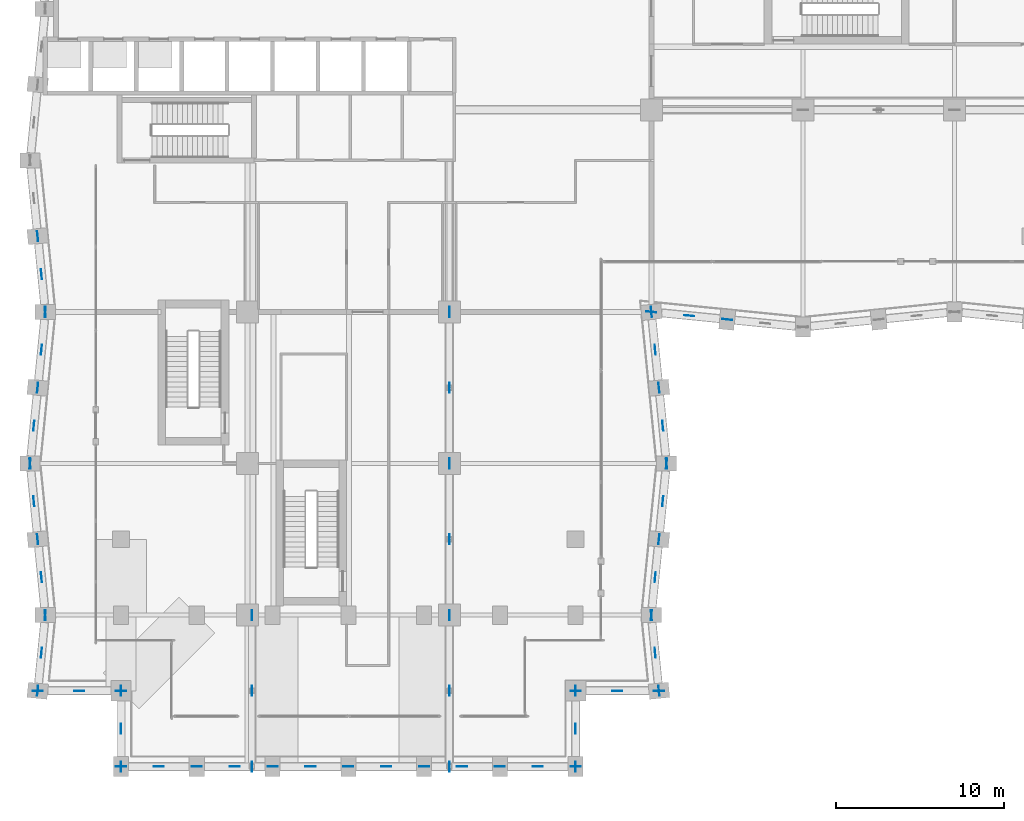
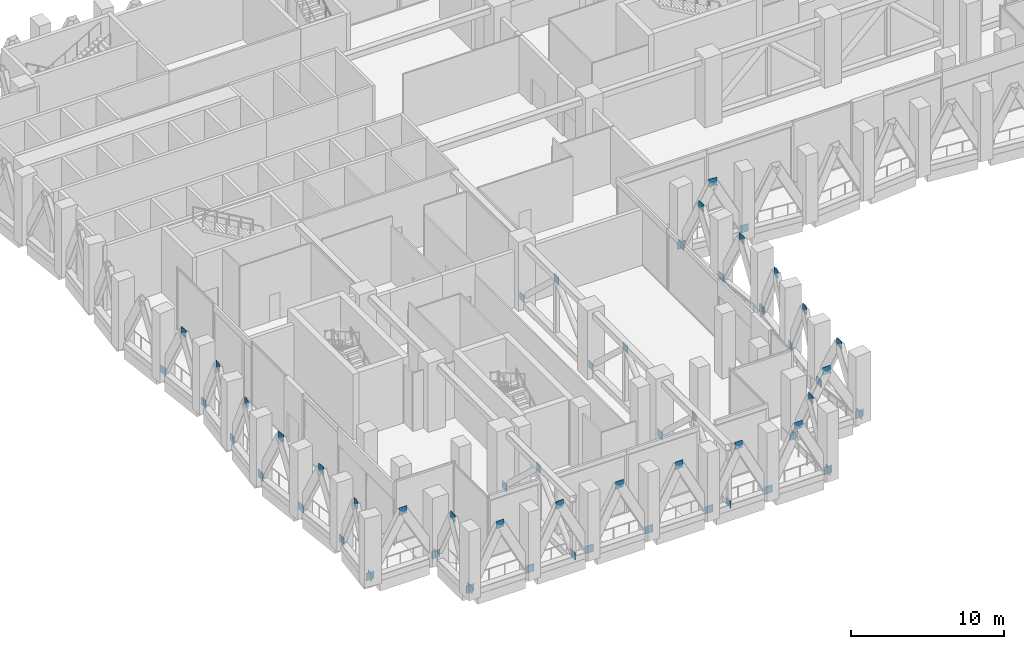
# One storey, part 27 of 37: 67 discrete accessories.
"""IFC4 building model written with IfcOpenShell, lengths in metres."""

import ifcopenshell
import ifcopenshell.guid

model = None  # the IFC model being written
_history = None  # IfcOwnerHistory: only IFC2X3 demands one
_inside = {}  # id of a spatial element -> (the spatial element, [elements in it])
_under = {}  # id of a project, library or spatial element -> (it, [spatial elements below it])
_declared = {}  # id of a project -> (the project, [libraries it declares])
_typed = {}  # id of a type object -> (the type object, [elements of that type])
_made_of = {}  # id of a material, layer set ... -> (it, [elements and type objects made of it])


def new_model(schema):
    """Start an empty IFC model of exactly this schema.

    Asked for "IFC4X3", IfcOpenShell would pick the latest addendum, in which some entities
    have other attributes; the version numbers below select the first issue.
    IFC2X3 requires an IfcOwnerHistory on every rooted entity: one is made here for all.
    """
    global model, _history
    if schema == "IFC4X3":
        model = ifcopenshell.file(schema_version=(4, 3, 0, 0))
    else:
        model = ifcopenshell.file(schema=schema)
    _inside.clear()
    _under.clear()
    _declared.clear()
    _typed.clear()
    _made_of.clear()
    _history = None
    if model.schema == "IFC2X3":
        org = make("IfcOrganization", Name="unknown")
        user = make(
            "IfcPersonAndOrganization",
            ThePerson=make("IfcPerson", FamilyName="unknown"),
            TheOrganization=org,
        )
        app = make(
            "IfcApplication",
            ApplicationDeveloper=org,
            Version="unknown",
            ApplicationFullName="unknown",
            ApplicationIdentifier="unknown",
        )
        _history = make(
            "IfcOwnerHistory",
            OwningUser=user,
            OwningApplication=app,
            ChangeAction="ADDED",
            CreationDate=0,
        )
    return model


def make(cls, **values):
    """One entity of the class cls with the attributes given. An attribute that is None is left unset."""
    return model.create_entity(
        cls, **{name: value for name, value in values.items() if value is not None}
    )


def rooted(cls, **values):
    """An entity with a GlobalId (a new one), such as an element, a storey or a relation."""
    return make(cls, GlobalId=ifcopenshell.guid.new(), OwnerHistory=_history, **values)


def si_unit(unit_type, name, prefix=None):
    """IfcSIUnit, for example si_unit("LENGTHUNIT", "METRE", prefix="MILLI")."""
    return make("IfcSIUnit", UnitType=unit_type, Prefix=prefix, Name=name)


def assignment(units):
    """IfcUnitAssignment: the units of a project."""
    return None if units is None else make("IfcUnitAssignment", Units=units)


def point(xyz):
    """IfcCartesianPoint."""
    return None if xyz is None else make("IfcCartesianPoint", Coordinates=xyz)


def direction(xyz):
    """IfcDirection."""
    return None if xyz is None else make("IfcDirection", DirectionRatios=xyz)


def frame(location, z_axis=None, x_axis=None):
    """IfcAxis2Placement3D, a coordinate frame: its origin and axes. An axis left out is left unset."""
    return make(
        "IfcAxis2Placement3D",
        Location=point(location),
        Axis=direction(z_axis),
        RefDirection=direction(x_axis),
    )


def frame_2d(location, x_axis=None):
    """IfcAxis2Placement2D, a coordinate frame in the plane: its origin and x axis."""
    return make(
        "IfcAxis2Placement2D", Location=point(location), RefDirection=direction(x_axis)
    )


def origin():
    """The frame at (0, 0, 0) with its axes left unset."""
    return frame((0.0, 0.0, 0.0))


def origin_2d():
    """The frame at (0, 0) in the plane with its x axis left unset."""
    return frame_2d((0.0, 0.0))


def place(relative_to, where):
    """IfcLocalPlacement: puts the frame where relative to a parent placement (None: the world)."""
    return make(
        "IfcLocalPlacement", PlacementRelTo=relative_to, RelativePlacement=where
    )


def context(
    kind, dimensions, precision=None, world=None, true_north=None, identifier=None
):
    """IfcGeometricRepresentationContext, for example the 3D "Model" context."""
    return make(
        "IfcGeometricRepresentationContext",
        ContextIdentifier=identifier,
        ContextType=kind,
        CoordinateSpaceDimension=dimensions,
        Precision=precision,
        WorldCoordinateSystem=world,
        TrueNorth=true_north,
    )


def subcontext(parent, identifier, kind, view, scale=None):
    """IfcGeometricRepresentationSubContext, for example "Body" below "Model"."""
    return make(
        "IfcGeometricRepresentationSubContext",
        ContextIdentifier=identifier,
        ContextType=kind,
        ParentContext=parent,
        TargetScale=scale,
        TargetView=view,
    )


def project(units=None, contexts=None):
    """IfcProject with its units and contexts."""
    return rooted(
        "IfcProject",
        Name="project",
        RepresentationContexts=contexts,
        UnitsInContext=assignment(units),
    )


def spatial(cls, under=None, at=None, **own):
    """A site, building, storey or space (cls), placed at a placement, below another one or the project."""
    s = rooted(cls, ObjectPlacement=at, **own)
    if under is not None:
        _under.setdefault(under.id(), (under, []))[1].append(s)
    return s


def profile(cls, at=None, kind="AREA", **sizes):
    """A parametric profile (cls). Its sizes go by their IFC names, for example OverallWidth=200.0."""
    return make(cls, ProfileType=kind, Position=at, **sizes)


def rectangle(**sizes):
    """IfcRectangleProfileDef."""
    return profile("IfcRectangleProfileDef", **sizes)


def extrude(swept, where, along, depth):
    """IfcExtrudedAreaSolid: the profile swept, set in the frame where, extruded along a direction by depth."""
    return make(
        "IfcExtrudedAreaSolid",
        SweptArea=swept,
        Position=where,
        ExtrudedDirection=direction(along),
        Depth=depth,
    )


def shape(context_of_items, identifier, shape_type, items):
    """IfcShapeRepresentation: the items that make up one representation, for example the "Body"."""
    return make(
        "IfcShapeRepresentation",
        ContextOfItems=context_of_items,
        RepresentationIdentifier=identifier,
        RepresentationType=shape_type,
        Items=items,
    )


def material(Name=None, Category=None):
    """IfcMaterial."""
    return make("IfcMaterial", Name=Name, Category=Category)


def layer(
    of_material, thickness, ventilated=None, Name=None, Category=None, Priority=None
):
    """IfcMaterialLayer: one layer of a wall or slab, of a material (None: an air gap)."""
    return make(
        "IfcMaterialLayer",
        Material=of_material,
        LayerThickness=thickness,
        IsVentilated=ventilated,
        Name=Name,
        Category=Category,
        Priority=Priority,
    )


def layer_set(layers, Name=None):
    """IfcMaterialLayerSet."""
    return make("IfcMaterialLayerSet", MaterialLayers=layers, LayerSetName=Name)


def made_of(thing, what):
    """Note that an element or type object is made of a material, layer set ...; save() writes the relation."""
    if what is not None:
        _made_of.setdefault(what.id(), (what, []))[1].append(thing)
    return thing


def type_object(cls, material=None, **own):
    """A type object (cls), such as IfcWallType, which elements share."""
    return made_of(rooted(cls, **own), material)


def element(
    cls,
    number,
    at=None,
    inside=None,
    cuts=None,
    type_object=None,
    material=None,
    context=None,
    identifier="Body",
    shape_type=None,
    held_by="IfcProductDefinitionShape",
    body=None,
    shapes=None,
    **own,
):
    """One element of the class cls, such as IfcWall. Its Tag is "e" and its number.

    at: its placement. inside: the storey or other place that contains it. cuts: it is an
    opening in that element (IfcRelVoidsElement). A single representation is given by context,
    identifier, shape_type and body (its items); several are given by shapes. held_by: the class
    of the entity that holds the representations. save() writes the other relations.
    """
    e = rooted(cls, Tag="e%d" % number, ObjectPlacement=at, **own)
    if body is not None:
        shapes = [shape(context, identifier, shape_type, body)]
    if shapes is not None:
        e.Representation = make(held_by, Representations=shapes)
    if inside is not None:
        _inside.setdefault(inside.id(), (inside, []))[1].append(e)
    if cuts is not None:
        rooted(
            "IfcRelVoidsElement", RelatingBuildingElement=cuts, RelatedOpeningElement=e
        )
    if type_object is not None:
        _typed.setdefault(type_object.id(), (type_object, []))[1].append(e)
    return made_of(e, material)


def aggregate(whole, parts):
    """IfcRelAggregates: a whole, such as a stair, and the parts it consists of."""
    return rooted("IfcRelAggregates", RelatingObject=whole, RelatedObjects=parts)


def save(model, path):
    """Write the relations noted so far, then the file.

    IfcRelAggregates (storeys below a building ...), IfcRelContainedInSpatialStructure (elements
    in a storey), IfcRelDefinesByType, IfcRelAssociatesMaterial and IfcRelDeclares: one each for
    every whole, place, type object, material and project.
    """
    for whole, parts in _under.values():
        aggregate(whole, parts)
    for where, things in _inside.values():
        rooted(
            "IfcRelContainedInSpatialStructure",
            RelatedElements=things,
            RelatingStructure=where,
        )
    for kind, things in _typed.values():
        rooted("IfcRelDefinesByType", RelatedObjects=things, RelatingType=kind)
    for what, things in _made_of.values():
        rooted("IfcRelAssociatesMaterial", RelatedObjects=things, RelatingMaterial=what)
    for by, libraries in _declared.values():
        rooted("IfcRelDeclares", RelatingContext=by, RelatedDefinitions=libraries)
    model.write(path)


model = new_model("IFC4")

# Units and contexts
model_context = context("Model", 3, precision=1e-05, world=origin(), true_north=direction((0.0, 1.0)))
body_context = subcontext(model_context, "Body", "Model", "MODEL_VIEW")
ifc_project = project(units=[si_unit("LENGTHUNIT", "METRE"), si_unit("AREAUNIT", "SQUARE_METRE"), si_unit("VOLUMEUNIT", "CUBIC_METRE"), si_unit("PLANEANGLEUNIT", "RADIAN"), si_unit("MASSUNIT", "GRAM", prefix="KILO")], contexts=[model_context])

# Site, building, storey
site_placement = place(None, origin())
site = spatial("IfcSite", under=ifc_project, at=site_placement, CompositionType="ELEMENT")
building_placement = place(site_placement, origin())
building = spatial("IfcBuilding", under=site, at=building_placement, Name="Brondeck Convention Tower", CompositionType="ELEMENT")
storey_placement = place(building_placement, frame((0.0, 0.0, 137.89990234375)))
storey = spatial("IfcBuildingStorey", under=building, at=storey_placement, Name="L33", CompositionType="ELEMENT", Elevation=137.89990234375)

# Discrete accessories
ifc_material = material(Name="Steel S460", Category="steel")
ifc_layer = layer(ifc_material, 0.02490234375)
ifc_layer_set = layer_set([ifc_layer], Name="Gusset plate 600x600x25 Steel S460")
discrete_accessory_type = type_object("IfcDiscreteAccessoryType", Name="Gusset plate 600x600x25 Steel S460", PredefinedType="BRACKET", material=ifc_layer_set)
for number, where, z_axis, x_axis, name in (
    (1, (4.5, 0.0, 0.199951171875), (0.0, 0.0, 1.0), (1.0, 0.0, 0.0), "Gusset plate GP-338"),
    (2, (6.75, 0.0, 4.550048828125), (0.0, 0.0, 1.0), (1.0, 0.0, 0.0), "Gusset plate GP-339"),
    (3, (9.0, 0.0, 0.199951171875), (0.0, 0.0, 1.0), (1.0, 0.0, 0.0), "Gusset plate GP-340"),
    (4, (11.25, 0.0, 4.550048828125), (0.0, 0.0, 1.0), (1.0, 0.0, 0.0), "Gusset plate GP-341"),
    (5, (13.5, 0.0, 0.199951171875), (0.0, 0.0, 1.0), (1.0, 0.0, 0.0), "Gusset plate GP-342"),
    (6, (15.75, 0.0, 4.550048828125), (0.0, 0.0, 1.0), (1.0, 0.0, 0.0), "Gusset plate GP-343"),
    (7, (18.0, 0.0, 0.199951171875), (0.0, 0.0, 1.0), (1.0, 0.0, 0.0), "Gusset plate GP-344"),
    (8, (20.25, 0.0, 4.550048828125), (0.0, 0.0, 1.0), (1.0, 0.0, 0.0), "Gusset plate GP-345"),
    (9, (22.5, 0.0, 0.199951171875), (0.0, 0.0, 1.0), (1.0, 0.0, 0.0), "Gusset plate GP-346"),
    (10, (24.75, 0.0, 4.550048828125), (0.0, 0.0, 1.0), (1.0, 0.0, 0.0), "Gusset plate GP-347"),
    (11, (27.0, 0.0, 0.199951171875), (0.0, 0.0, 1.0), (1.0, 0.0, 0.0), "Gusset plate GP-348"),
    (12, (29.25, 0.0, 4.550048828125), (0.0, 0.0, 1.0), (1.0, 0.0, 0.0), "Gusset plate GP-349"),
    (13, (31.5, 0.0, 0.199951171875), (0.0, 0.0, 1.0), (1.0, 0.0, 0.0), "Gusset plate GP-350"),
    (14, (31.5, 0.0, 0.199951171875), (0.0, 0.0, 1.0), (0.0, 1.0, 0.0), "Gusset plate GP-351"),
    (15, (31.5, 2.25, 4.550048828125), (0.0, 0.0, 1.0), (0.0, 1.0, 0.0), "Gusset plate GP-352"),
    (16, (31.5, 4.5, 0.199951171875), (0.0, 0.0, 1.0), (0.0, 1.0, 0.0), "Gusset plate GP-353"),
    (17, (31.5, 4.5, 0.199951171875), (0.0, 0.0, 1.0), (1.0, 0.0, 0.0), "Gusset plate GP-354"),
    (18, (33.97509765625, 4.5, 4.550048828125), (0.0, 0.0, 1.0), (1.0, 0.0, 0.0), "Gusset plate GP-355"),
    (19, (36.449951171875, 4.5, 0.199951171875), (0.0, 0.0, 1.0), (1.0, 0.0, 0.0), "Gusset plate GP-356"),
    (20, (36.449951171875, 4.5, 0.199951171875), (0.0, 0.0, 1.0), (-0.099510784867, 0.9950364836, 0.0), "Gusset plate GP-357"),
    (21, (36.22509765625, 6.75, 4.550048828125), (0.0, 0.0, 1.0), (-0.099510784867, 0.9950364836, 0.0), "Gusset plate GP-358"),
    (22, (36.0, 9.0, 0.199951171875), (0.0, 0.0, 1.0), (-0.099510784867, 0.9950364836, 0.0), "Gusset plate GP-359"),
    (23, (36.0, 9.0, 0.199951171875), (0.0, 0.0, 1.0), (0.099510784867, 0.9950364836, 0.0), "Gusset plate GP-360"),
    (24, (36.22509765625, 11.25, 4.550048828125), (0.0, 0.0, 1.0), (0.099510784867, 0.9950364836, 0.0), "Gusset plate GP-361"),
    (25, (36.449951171875, 13.5, 0.199951171875), (0.0, 0.0, 1.0), (0.099510784867, 0.9950364836, 0.0), "Gusset plate GP-362"),
    (26, (36.675048828125, 15.75, 4.550048828125), (0.0, 0.0, 1.0), (0.099510784867, 0.9950364836, 0.0), "Gusset plate GP-363"),
    (27, (36.89990234375, 18.0, 0.199951171875), (0.0, 0.0, 1.0), (0.099510784867, 0.9950364836, 0.0), "Gusset plate GP-364"),
    (28, (36.89990234375, 18.0, 0.199951171875), (0.0, 0.0, 1.0), (-0.099510784867, 0.9950364836, 0.0), "Gusset plate GP-365"),
    (29, (36.675048828125, 20.25, 4.550048828125), (0.0, 0.0, 1.0), (-0.099510784867, 0.9950364836, 0.0), "Gusset plate GP-366"),
    (30, (36.449951171875, 22.5, 0.199951171875), (0.0, 0.0, 1.0), (-0.099510784867, 0.9950364836, 0.0), "Gusset plate GP-367"),
    (31, (36.22509765625, 24.75, 4.550048828125), (0.0, 0.0, 1.0), (-0.099510784867, 0.9950364836, 0.0), "Gusset plate GP-368"),
    (32, (36.0, 27.0, 0.199951171875), (0.0, 0.0, 1.0), (-0.099510784867, 0.9950364836, 0.0), "Gusset plate GP-369"),
    (33, (36.0, 27.0, 0.199951171875), (0.0, 0.0, 1.0), (-0.9950364836, 0.099510784867, 0.0), "Gusset plate GP-370"),
    (34, (38.25, 26.77490234375, 4.550048828125), (0.0, 0.0, 1.0), (-0.9950364836, 0.099510784867, 0.0), "Gusset plate GP-371"),
    (35, (40.5, 26.550048828125, 0.199951171875), (0.0, 0.0, 1.0), (-0.9950364836, 0.099510784867, 0.0), "Gusset plate GP-372"),
    (36, (-0.449951171875, 31.5, 0.199951171875), (0.0, 0.0, 1.0), (-0.099510784867, 0.9950364836, 0.0), "Gusset plate GP-470"),
    (37, (-0.22509765625, 29.25, 4.550048828125), (0.0, 0.0, 1.0), (-0.099510784867, 0.9950364836, 0.0), "Gusset plate GP-471"),
    (38, (0.0, 27.0, 0.199951171875), (0.0, 0.0, 1.0), (-0.099510784867, 0.9950364836, 0.0), "Gusset plate GP-472"),
    (39, (0.0, 27.0, 0.199951171875), (0.0, 0.0, 1.0), (0.099510784867, 0.9950364836, 0.0), "Gusset plate GP-473"),
    (40, (-0.22509765625, 24.75, 4.550048828125), (0.0, 0.0, 1.0), (0.099510784867, 0.9950364836, 0.0), "Gusset plate GP-474"),
    (41, (-0.449951171875, 22.5, 0.199951171875), (0.0, 0.0, 1.0), (0.099510784867, 0.9950364836, 0.0), "Gusset plate GP-475"),
    (42, (-0.675048828125, 20.25, 4.550048828125), (0.0, 0.0, 1.0), (0.099510784867, 0.9950364836, 0.0), "Gusset plate GP-476"),
    (43, (-0.89990234375, 18.0, 0.199951171875), (0.0, 0.0, 1.0), (0.099510784867, 0.9950364836, 0.0), "Gusset plate GP-477"),
    (44, (-0.89990234375, 18.0, 0.199951171875), (0.0, 0.0, 1.0), (-0.099510784867, 0.9950364836, 0.0), "Gusset plate GP-478"),
    (45, (-0.675048828125, 15.75, 4.550048828125), (0.0, 0.0, 1.0), (-0.099510784867, 0.9950364836, 0.0), "Gusset plate GP-479"),
    (46, (-0.449951171875, 13.5, 0.199951171875), (0.0, 0.0, 1.0), (-0.099510784867, 0.9950364836, 0.0), "Gusset plate GP-480"),
    (47, (-0.22509765625, 11.25, 4.550048828125), (0.0, 0.0, 1.0), (-0.099510784867, 0.9950364836, 0.0), "Gusset plate GP-481"),
    (48, (0.0, 9.0, 0.199951171875), (0.0, 0.0, 1.0), (-0.099510784867, 0.9950364836, 0.0), "Gusset plate GP-482"),
    (49, (0.0, 9.0, 0.199951171875), (0.0, 0.0, 1.0), (0.099510784867, 0.9950364836, 0.0), "Gusset plate GP-483"),
    (50, (-0.22509765625, 6.75, 4.550048828125), (0.0, 0.0, 1.0), (0.099510784867, 0.9950364836, 0.0), "Gusset plate GP-484"),
    (51, (-0.449951171875, 4.5, 0.199951171875), (0.0, 0.0, 1.0), (0.099510784867, 0.9950364836, 0.0), "Gusset plate GP-485"),
    (52, (-0.449951171875, 4.5, 0.199951171875), (0.0, 0.0, 1.0), (1.0, 0.0, 0.0), "Gusset plate GP-486"),
    (53, (2.02490234375, 4.5, 4.550048828125), (0.0, 0.0, 1.0), (1.0, 0.0, 0.0), "Gusset plate GP-487"),
    (54, (4.5, 4.5, 0.199951171875), (0.0, 0.0, 1.0), (1.0, 0.0, 0.0), "Gusset plate GP-488"),
    (55, (4.5, 4.5, 0.199951171875), (0.0, 0.0, 1.0), (0.0, 1.0, 0.0), "Gusset plate GP-489"),
    (56, (4.5, 2.25, 4.550048828125), (0.0, 0.0, 1.0), (0.0, 1.0, 0.0), "Gusset plate GP-490"),
    (57, (4.5, 0.0, 0.199951171875), (0.0, 0.0, 1.0), (0.0, 1.0, 0.0), "Gusset plate GP-491"),
    (58, (12.27001953125, 9.0, 0.199951171875), (0.0, 0.0, 1.0), (0.0, 1.0, 0.0), "Gusset plate GP-504"),
    (59, (12.27001953125, 4.5, 4.400146484375), (0.0, 0.0, 1.0), (0.0, 1.0, 0.0), "Gusset plate GP-505"),
    (60, (12.27001953125, 0.0, 0.199951171875), (0.0, 0.0, 1.0), (0.0, 1.0, 0.0), "Gusset plate GP-506"),
    (61, (24.0, 27.0, 0.199951171875), (0.0, 0.0, 1.0), (0.0, 1.0, 0.0), "Gusset plate GP-507"),
    (62, (24.0, 22.5, 4.400146484375), (0.0, 0.0, 1.0), (0.0, 1.0, 0.0), "Gusset plate GP-508"),
    (63, (24.0, 18.0, 0.199951171875), (0.0, 0.0, 1.0), (0.0, 1.0, 0.0), "Gusset plate GP-509"),
    (64, (24.0, 13.5, 4.400146484375), (0.0, 0.0, 1.0), (0.0, 1.0, 0.0), "Gusset plate GP-510"),
    (65, (24.0, 9.0, 0.199951171875), (0.0, 0.0, 1.0), (0.0, 1.0, 0.0), "Gusset plate GP-511"),
    (66, (24.0, 4.5, 4.400146484375), (0.0, 0.0, 1.0), (0.0, 1.0, 0.0), "Gusset plate GP-512"),
    (67, (24.0, 0.0, 0.199951171875), (0.0, 0.0, 1.0), (0.0, 1.0, 0.0), "Gusset plate GP-513"),
):
    element("IfcDiscreteAccessory", number, at=place(storey_placement, frame(where, z_axis=z_axis, x_axis=x_axis)), inside=storey, type_object=discrete_accessory_type, Name=name, PredefinedType="BRACKET", context=body_context, shape_type="SweptSolid", body=[
        extrude(rectangle(XDim=0.60009765625, YDim=0.02490234375, at=origin_2d()), origin(), (0.0, 0.0, 1.0), 0.60009765625),
    ])

save(model, "model.ifc")
